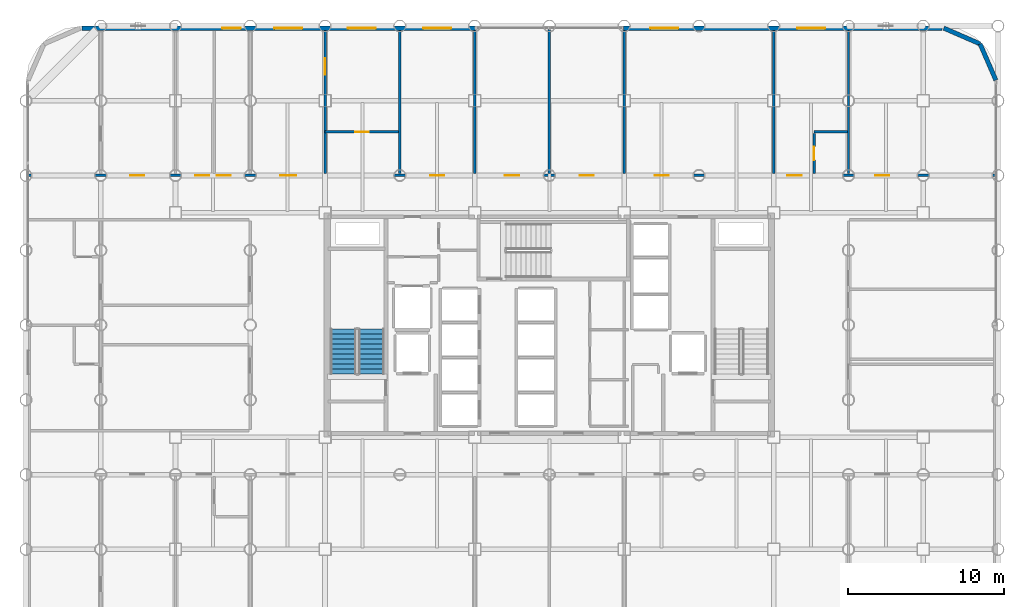
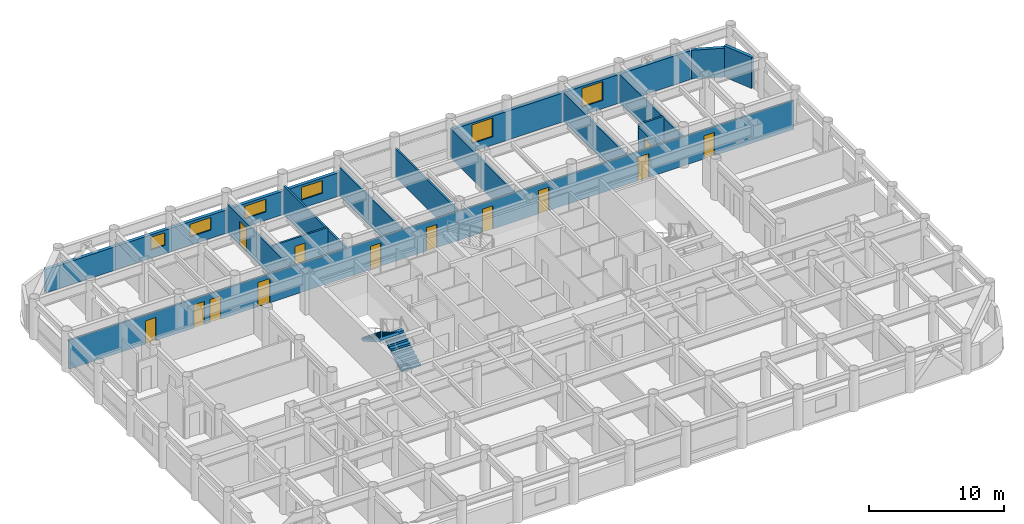
# One storey, part 19 of 21: 15 walls, 13 doors, 6 windows, 2 stair flights, 19 openings, 1 element without a shape of its own.
"""IFC4 building model written with IfcOpenShell, lengths in metres."""

from ifc_helpers import new_model, si_unit, direction, frame, frame_2d, origin, place, context, subcontext, project, spatial, polyline, rectangle, outline, extrude, material, layer, layer_set, type_object, element, fill, aggregate, save


model = new_model("IFC4")

# Units and contexts
model_context = context("Model", 3, precision=1e-05, world=origin(), true_north=direction((0.0, 1.0)))
body_context = subcontext(model_context, "Body", "Model", "MODEL_VIEW")
ifc_project = project(units=[si_unit("LENGTHUNIT", "METRE"), si_unit("AREAUNIT", "SQUARE_METRE"), si_unit("VOLUMEUNIT", "CUBIC_METRE"), si_unit("PLANEANGLEUNIT", "RADIAN"), si_unit("MASSUNIT", "GRAM", prefix="KILO")], contexts=[model_context])

# Site, building, storey
site_placement = place(None, origin())
site = spatial("IfcSite", under=ifc_project, at=site_placement, CompositionType="ELEMENT")
building_placement = place(site_placement, origin())
building = spatial("IfcBuilding", under=site, at=building_placement, Name="Kallvorn Hotel Tower", CompositionType="ELEMENT")
storey_placement = place(building_placement, frame((0.0, 0.0, 52.199951171875)))
storey = spatial("IfcBuildingStorey", under=building, at=storey_placement, Name="L11", CompositionType="ELEMENT", Elevation=52.199951171875)

# Wall, openings, doors
ifc_material_1 = material(Name="Fire-rated double-layer acoustic gypsum drywall EI 60")
ifc_layer_1 = layer(ifc_material_1, 0.159912109375)
ifc_layer_set_1 = layer_set([ifc_layer_1], Name="WL_DEMISE_160")
wall_type_1 = type_object("IfcWallType", Name="WL_DEMISE_160", PredefinedType="PARTITIONING", material=ifc_layer_set_1)
wall_1_placement = place(storey_placement, frame((-33.429931640625, 9.60009765625, 0.0), z_axis=(0.0, 0.0, 1.0), x_axis=(1.0, 0.0, 0.0)))
wall_1 = element("IfcWall", 1, at=wall_1_placement, inside=storey, type_object=wall_type_1, Name="L11 Suite 1104 Junior Living Salon Partition", PredefinedType="PARTITIONING", context=body_context, shape_type="SweptSolid", body=[
    extrude(rectangle(XDim=62.059814453125, YDim=0.159912109375, at=frame_2d((31.02978515625, 0.0))), origin(), (0.0, 0.0, 1.0), 2.6201171875),
])
opening_1_placement = place(wall_1_placement, frame((6.5400390625, 0.0, 0.0)))
opening_1 = element("IfcOpeningElement", 2, at=opening_1_placement, cuts=wall_1, Name="Opening SVD1", PredefinedType="OPENING", context=body_context, shape_type="SweptSolid", body=[
    extrude(rectangle(XDim=0.89990234375, YDim=2.10009765625, at=frame_2d((0.449951171875, 1.050048828125))), frame((0.0, 0.094970703125, 0.0), z_axis=(0.0, -1.0, 0.0), x_axis=(1.0, 0.0, 0.0)), (0.0, 0.0, 1.0), 0.18994140625),
])
opening_2_placement = place(wall_1_placement, frame((54.360595703125, 0.0, 0.0)))
opening_2 = element("IfcOpeningElement", 3, at=opening_2_placement, cuts=wall_1, Name="Opening SVD1", PredefinedType="OPENING", context=body_context, shape_type="SweptSolid", body=[
    extrude(rectangle(XDim=0.89990234375, YDim=2.10009765625, at=frame_2d((0.449951171875, 1.050048828125))), frame((0.0, 0.094970703125, 0.0), z_axis=(0.0, -1.0, 0.0), x_axis=(1.0, 0.0, 0.0)), (0.0, 0.0, 1.0), 0.18994140625),
])
opening_3_placement = place(wall_1_placement, frame((10.68994140625, 0.0, 0.0)))
opening_3 = element("IfcOpeningElement", 4, at=opening_3_placement, cuts=wall_1, Name="Opening SVD1", PredefinedType="OPENING", context=body_context, shape_type="SweptSolid", body=[
    extrude(rectangle(XDim=0.89990234375, YDim=2.10009765625, at=frame_2d((0.449951171875, 1.050048828125))), frame((0.0, 0.094970703125, 0.0), z_axis=(0.0, -1.0, 0.0), x_axis=(1.0, 0.0, 0.0)), (0.0, 0.0, 1.0), 0.18994140625),
])
opening_4_placement = place(wall_1_placement, frame((12.070068359375, 0.0, 0.0)))
opening_4 = element("IfcOpeningElement", 5, at=opening_4_placement, cuts=wall_1, Name="Opening SVD1", PredefinedType="OPENING", context=body_context, shape_type="SweptSolid", body=[
    extrude(rectangle(XDim=0.89990234375, YDim=2.10009765625, at=frame_2d((0.449951171875, 1.050048828125))), frame((0.0, 0.094970703125, 0.0), z_axis=(0.0, -1.0, 0.0), x_axis=(1.0, 0.0, 0.0)), (0.0, 0.0, 1.0), 0.18994140625),
])
opening_5_placement = place(wall_1_placement, frame((16.14501953125, 0.0, 0.0)))
opening_5 = element("IfcOpeningElement", 6, at=opening_5_placement, cuts=wall_1, Name="Opening GD2", PredefinedType="OPENING", context=body_context, shape_type="SweptSolid", body=[
    extrude(rectangle(XDim=1.050048828125, YDim=2.199951171875, at=frame_2d((0.52490234375, 1.10009765625))), frame((0.0, 0.094970703125, 0.0), z_axis=(0.0, -1.0, 0.0), x_axis=(1.0, 0.0, 0.0)), (0.0, 0.0, 1.0), 0.18994140625),
])
opening_6_placement = place(wall_1_placement, frame((25.780029296875, 0.0, 0.0)))
opening_6 = element("IfcOpeningElement", 7, at=opening_6_placement, cuts=wall_1, Name="Opening SVD1", PredefinedType="OPENING", context=body_context, shape_type="SweptSolid", body=[
    extrude(rectangle(XDim=0.89990234375, YDim=2.10009765625, at=frame_2d((0.449951171875, 1.050048828125))), frame((0.0, 0.094970703125, 0.0), z_axis=(0.0, -1.0, 0.0), x_axis=(1.0, 0.0, 0.0)), (0.0, 0.0, 1.0), 0.18994140625),
])
opening_7_placement = place(wall_1_placement, frame((30.580078125, 0.0, 0.0)))
opening_7 = element("IfcOpeningElement", 8, at=opening_7_placement, cuts=wall_1, Name="Opening SVD1", PredefinedType="OPENING", context=body_context, shape_type="SweptSolid", body=[
    extrude(rectangle(XDim=0.89990234375, YDim=2.10009765625, at=frame_2d((0.449951171875, 1.050048828125))), frame((0.0, 0.094970703125, 0.0), z_axis=(0.0, -1.0, 0.0), x_axis=(1.0, 0.0, 0.0)), (0.0, 0.0, 1.0), 0.18994140625),
])
opening_8_placement = place(wall_1_placement, frame((35.3798828125, 0.0, 0.0)))
opening_8 = element("IfcOpeningElement", 9, at=opening_8_placement, cuts=wall_1, Name="Opening SVD1", PredefinedType="OPENING", context=body_context, shape_type="SweptSolid", body=[
    extrude(rectangle(XDim=0.89990234375, YDim=2.10009765625, at=frame_2d((0.449951171875, 1.050048828125))), frame((0.0, 0.094970703125, 0.0), z_axis=(0.0, -1.0, 0.0), x_axis=(1.0, 0.0, 0.0)), (0.0, 0.0, 1.0), 0.18994140625),
])
opening_9_placement = place(wall_1_placement, frame((40.179931640625, 0.0, 0.0)))
opening_9 = element("IfcOpeningElement", 10, at=opening_9_placement, cuts=wall_1, Name="Opening SVD1", PredefinedType="OPENING", context=body_context, shape_type="SweptSolid", body=[
    extrude(rectangle(XDim=0.89990234375, YDim=2.10009765625, at=frame_2d((0.449951171875, 1.050048828125))), frame((0.0, 0.094970703125, 0.0), z_axis=(0.0, -1.0, 0.0), x_axis=(1.0, 0.0, 0.0)), (0.0, 0.0, 1.0), 0.18994140625),
])
opening_10_placement = place(wall_1_placement, frame((48.705078125, 0.0, 0.0)))
opening_10 = element("IfcOpeningElement", 11, at=opening_10_placement, cuts=wall_1, Name="Opening GD1", PredefinedType="OPENING", context=body_context, shape_type="SweptSolid", body=[
    extrude(rectangle(XDim=0.919921875, YDim=2.14990234375, at=frame_2d((0.4599609375, 1.074951171875))), frame((0.0, 0.094970703125, 0.0), z_axis=(0.0, -1.0, 0.0), x_axis=(1.0, 0.0, 0.0)), (0.0, 0.0, 1.0), 0.18994140625),
])
ifc_material_2 = material(Name="Solid-core walnut veneer fire-rated timber door leaf", Category="wood")
door_type_1 = type_object("IfcDoorType", Name="DR_GUEST_920x2150", OperationType="NOTDEFINED", PredefinedType="DOOR", material=ifc_material_2)
door_1_placement = place(opening_10_placement, origin())
door_1 = element("IfcDoor", 12, at=door_1_placement, inside=storey, type_object=door_type_1, Name="L11 Suite 1105 Standard Twin Room Door", OperationType="SINGLE_SWING_LEFT", OverallHeight=2.14990234375, OverallWidth=0.919921875, PredefinedType="DOOR", context=body_context, shape_type="SweptSolid", body=[
    extrude(rectangle(XDim=0.919921875, YDim=2.14990234375, at=frame_2d((0.4599609375, 1.074951171875))), frame((0.0, 0.02490234375, 0.0), z_axis=(0.0, -1.0, 0.0), x_axis=(1.0, 0.0, 0.0)), (0.0, 0.0, 1.0), 0.050048828125),
])
fill(opening_10, door_1)
ifc_material_3 = material(Name="Galvanised painted steel fire-rated door assembly", Category="steel")
door_type_2 = type_object("IfcDoorType", Name="DR_SERV_900x2100", OperationType="NOTDEFINED", PredefinedType="DOOR", material=ifc_material_3)
door_2_placement = place(opening_1_placement, origin())
door_2 = element("IfcDoor", 13, at=door_2_placement, inside=storey, type_object=door_type_2, Name="L11 L11 North-West Fitness Gymnasium B Door", OperationType="SINGLE_SWING_RIGHT", OverallHeight=2.10009765625, OverallWidth=0.89990234375, PredefinedType="DOOR", context=body_context, shape_type="SweptSolid", body=[
    extrude(rectangle(XDim=0.89990234375, YDim=2.10009765625, at=frame_2d((0.449951171875, 1.050048828125))), frame((0.0, 0.02490234375, 0.0), z_axis=(0.0, -1.0, 0.0), x_axis=(1.0, 0.0, 0.0)), (0.0, 0.0, 1.0), 0.050048828125),
])
fill(opening_1, door_2)
door_3_placement = place(opening_2_placement, origin())
door_3 = element("IfcDoor", 14, at=door_3_placement, inside=storey, type_object=door_type_2, Name="L11 L11 North-East Reading Club Door", OperationType="SINGLE_SWING_RIGHT", OverallHeight=2.10009765625, OverallWidth=0.89990234375, PredefinedType="DOOR", context=body_context, shape_type="SweptSolid", body=[
    extrude(rectangle(XDim=0.89990234375, YDim=2.10009765625, at=frame_2d((0.449951171875, 1.050048828125))), frame((0.0, 0.02490234375, 0.0), z_axis=(0.0, -1.0, 0.0), x_axis=(1.0, 0.0, 0.0)), (0.0, 0.0, 1.0), 0.050048828125),
])
fill(opening_2, door_3)
door_4_placement = place(opening_3_placement, origin())
door_4 = element("IfcDoor", 15, at=door_4_placement, inside=storey, type_object=door_type_2, Name="L11 Housekeeping and Linen Room Door", OperationType="SINGLE_SWING_LEFT", OverallHeight=2.10009765625, OverallWidth=0.89990234375, PredefinedType="DOOR", context=body_context, shape_type="SweptSolid", body=[
    extrude(rectangle(XDim=0.89990234375, YDim=2.10009765625, at=frame_2d((0.449951171875, 1.050048828125))), frame((0.0, 0.02490234375, 0.0), z_axis=(0.0, -1.0, 0.0), x_axis=(1.0, 0.0, 0.0)), (0.0, 0.0, 1.0), 0.050048828125),
])
fill(opening_3, door_4)
door_5_placement = place(opening_4_placement, origin())
door_5 = element("IfcDoor", 16, at=door_5_placement, inside=storey, type_object=door_type_2, Name="L11 Guest Tea and Refreshment Bar Door", OperationType="SINGLE_SWING_LEFT", OverallHeight=2.10009765625, OverallWidth=0.89990234375, PredefinedType="DOOR", context=body_context, shape_type="SweptSolid", body=[
    extrude(rectangle(XDim=0.89990234375, YDim=2.10009765625, at=frame_2d((0.449951171875, 1.050048828125))), frame((0.0, 0.02490234375, 0.0), z_axis=(0.0, -1.0, 0.0), x_axis=(1.0, 0.0, 0.0)), (0.0, 0.0, 1.0), 0.050048828125),
])
fill(opening_4, door_5)
door_6_placement = place(opening_6_placement, origin())
door_6 = element("IfcDoor", 17, at=door_6_placement, inside=storey, type_object=door_type_2, Name="L11 L11 Thermal Hydrotherapy Treatment Suite 3-1 Door", OperationType="SINGLE_SWING_RIGHT", OverallHeight=2.10009765625, OverallWidth=0.89990234375, PredefinedType="DOOR", context=body_context, shape_type="SweptSolid", body=[
    extrude(rectangle(XDim=0.89990234375, YDim=2.10009765625, at=frame_2d((0.449951171875, 1.050048828125))), frame((0.0, 0.02490234375, 0.0), z_axis=(0.0, -1.0, 0.0), x_axis=(1.0, 0.0, 0.0)), (0.0, 0.0, 1.0), 0.050048828125),
])
fill(opening_6, door_6)
door_7_placement = place(opening_7_placement, origin())
door_7 = element("IfcDoor", 18, at=door_7_placement, inside=storey, type_object=door_type_2, Name="L11 L11 Thermal Hydrotherapy Treatment Suite 3-2 Door", OperationType="SINGLE_SWING_LEFT", OverallHeight=2.10009765625, OverallWidth=0.89990234375, PredefinedType="DOOR", context=body_context, shape_type="SweptSolid", body=[
    extrude(rectangle(XDim=0.89990234375, YDim=2.10009765625, at=frame_2d((0.449951171875, 1.050048828125))), frame((0.0, 0.02490234375, 0.0), z_axis=(0.0, -1.0, 0.0), x_axis=(1.0, 0.0, 0.0)), (0.0, 0.0, 1.0), 0.050048828125),
])
fill(opening_7, door_7)
door_8_placement = place(opening_8_placement, origin())
door_8 = element("IfcDoor", 19, at=door_8_placement, inside=storey, type_object=door_type_2, Name="L11 L11 Thermal Hydrotherapy Treatment Suite 3-3 Door", OperationType="SINGLE_SWING_LEFT", OverallHeight=2.10009765625, OverallWidth=0.89990234375, PredefinedType="DOOR", context=body_context, shape_type="SweptSolid", body=[
    extrude(rectangle(XDim=0.89990234375, YDim=2.10009765625, at=frame_2d((0.449951171875, 1.050048828125))), frame((0.0, 0.02490234375, 0.0), z_axis=(0.0, -1.0, 0.0), x_axis=(1.0, 0.0, 0.0)), (0.0, 0.0, 1.0), 0.050048828125),
])
fill(opening_8, door_8)
door_9_placement = place(opening_9_placement, origin())
door_9 = element("IfcDoor", 20, at=door_9_placement, inside=storey, type_object=door_type_2, Name="L11 L11 Haute Couture Design Retail Shop 4 Door", OperationType="SINGLE_SWING_RIGHT", OverallHeight=2.10009765625, OverallWidth=0.89990234375, PredefinedType="DOOR", context=body_context, shape_type="SweptSolid", body=[
    extrude(rectangle(XDim=0.89990234375, YDim=2.10009765625, at=frame_2d((0.449951171875, 1.050048828125))), frame((0.0, 0.02490234375, 0.0), z_axis=(0.0, -1.0, 0.0), x_axis=(1.0, 0.0, 0.0)), (0.0, 0.0, 1.0), 0.050048828125),
])
fill(opening_9, door_9)
ifc_material_4 = material(Name="Solid-core walnut veneer fire-rated timber door leaf", Category="wood")
door_type_3 = type_object("IfcDoorType", Name="DR_SUITE_1050x2200", OperationType="NOTDEFINED", PredefinedType="DOOR", material=ifc_material_4)
door_10_placement = place(opening_5_placement, origin())
door_10 = element("IfcDoor", 21, at=door_10_placement, inside=storey, type_object=door_type_3, Name="L11 Suite 1104 Junior Living Salon Door", OperationType="SINGLE_SWING_RIGHT", OverallHeight=2.199951171875, OverallWidth=1.050048828125, PredefinedType="DOOR", context=body_context, shape_type="SweptSolid", body=[
    extrude(rectangle(XDim=1.050048828125, YDim=2.199951171875, at=frame_2d((0.52490234375, 1.10009765625))), frame((0.0, 0.02490234375, 0.0), z_axis=(0.0, -1.0, 0.0), x_axis=(1.0, 0.0, 0.0)), (0.0, 0.0, 1.0), 0.050048828125),
])
fill(opening_5, door_10)

# Wall, opening, door
wall_2_placement = place(storey_placement, frame((-14.39990234375, 12.39501953125, 0.0), z_axis=(0.0, 0.0, 1.0), x_axis=(1.0, 0.0, 0.0)))
wall_2 = element("IfcWall", 22, at=wall_2_placement, inside=storey, type_object=wall_type_1, Name="L11 Suite 1104 Junior Bedroom Partition", PredefinedType="PARTITIONING", context=body_context, shape_type="SweptSolid", body=[
    extrude(rectangle(XDim=4.719970703125, YDim=0.159912109375, at=frame_2d((2.35986328125, 0.0))), origin(), (0.0, 0.0, 1.0), 2.820068359375),
])
opening_11_placement = place(wall_2_placement, frame((1.929931640625, 0.0, 0.0)))
opening_11 = element("IfcOpeningElement", 23, at=opening_11_placement, cuts=wall_2, Name="Opening BD-I", PredefinedType="OPENING", context=body_context, shape_type="SweptSolid", body=[
    extrude(rectangle(XDim=0.860107421875, YDim=2.10009765625, at=frame_2d((0.43017578125, 1.050048828125))), frame((0.0, 0.094970703125, 0.0), z_axis=(0.0, -1.0, 0.0), x_axis=(1.0, 0.0, 0.0)), (0.0, 0.0, 1.0), 0.18994140625),
])
ifc_material_5 = material(Name="Solid-core walnut veneer fire-rated timber door leaf", Category="wood")
door_type_4 = type_object("IfcDoorType", Name="DR_BATH_860x2100", OperationType="NOTDEFINED", PredefinedType="DOOR", material=ifc_material_5)
door_11_placement = place(opening_11_placement, origin())
door_11 = element("IfcDoor", 24, at=door_11_placement, inside=storey, type_object=door_type_4, Name="L11 Suite 1104 En-Suite Bathroom Door", OperationType="SINGLE_SWING_RIGHT", OverallHeight=2.10009765625, OverallWidth=0.860107421875, PredefinedType="DOOR", context=body_context, shape_type="SweptSolid", body=[
    extrude(rectangle(XDim=0.860107421875, YDim=2.10009765625, at=frame_2d((0.43017578125, 1.050048828125))), frame((0.0, 0.02490234375, 0.0), z_axis=(0.0, -1.0, 0.0), x_axis=(1.0, 0.0, 0.0)), (0.0, 0.0, 1.0), 0.050048828125),
])
fill(opening_11, door_11)

# Wall
wall_3_placement = place(storey_placement, frame((16.989990234375, 12.39501953125, 0.0), z_axis=(0.0, 0.0, 1.0), x_axis=(1.0, 0.0, 0.0)))
element("IfcWall", 25, at=wall_3_placement, inside=storey, type_object=wall_type_1, Name="L11 Suite 1105 Standard Twin Room Partition", PredefinedType="PARTITIONING", context=body_context, shape_type="SweptSolid", body=[
    extrude(rectangle(XDim=2.130126953125, YDim=0.159912109375, at=frame_2d((1.06494140625, 0.0))), origin(), (0.0, 0.0, 1.0), 2.820068359375),
])

# Wall, opening, door
wall_4_placement = place(storey_placement, frame((-14.39990234375, 9.719970703125, 0.0), z_axis=(0.0, 0.0, 1.0), x_axis=(0.0, 1.0, 0.0)))
wall_4 = element("IfcWall", 26, at=wall_4_placement, inside=storey, type_object=wall_type_1, Name="L11 Suite 1104 Junior Living Salon Partition", PredefinedType="PARTITIONING", context=body_context, shape_type="SweptSolid", body=[
    extrude(rectangle(XDim=9.18994140625, YDim=0.159912109375, at=frame_2d((4.594970703125, 0.0))), origin(), (0.0, 0.0, 1.0), 2.6201171875),
])
opening_12_placement = place(wall_4_placement, frame((6.346923828125, 0.0, 0.0)))
opening_12 = element("IfcOpeningElement", 27, at=opening_12_placement, cuts=wall_4, Name="Opening GD2", PredefinedType="OPENING", context=body_context, shape_type="SweptSolid", body=[
    extrude(rectangle(XDim=1.050048828125, YDim=2.199951171875, at=frame_2d((0.52490234375, 1.10009765625))), frame((0.0, 0.094970703125, 0.0), z_axis=(0.0, -1.0, 0.0), x_axis=(1.0, 0.0, 0.0)), (0.0, 0.0, 1.0), 0.18994140625),
])
door_12_placement = place(opening_12_placement, origin())
door_12 = element("IfcDoor", 28, at=door_12_placement, inside=storey, type_object=door_type_3, Name="L11 Suite 1104 Junior Bedroom Door", OperationType="SINGLE_SWING_LEFT", OverallHeight=2.199951171875, OverallWidth=1.050048828125, PredefinedType="DOOR", context=body_context, shape_type="SweptSolid", body=[
    extrude(rectangle(XDim=1.050048828125, YDim=2.199951171875, at=frame_2d((0.52490234375, 1.10009765625))), frame((0.0, 0.02490234375, 0.0), z_axis=(0.0, -1.0, 0.0), x_axis=(1.0, 0.0, 0.0)), (0.0, 0.0, 1.0), 0.050048828125),
])
fill(opening_12, door_12)

# Walls
for number, where, z_axis, x_axis, name in (
    (29, (-9.60009765625, 9.719970703125, 0.0), (0.0, 0.0, 1.0), (0.0, 1.0, 0.0), "L11 Suite 1104 Junior Bedroom Partition"),
    (30, (14.39990234375, 9.719970703125, 0.0), (0.0, 0.0, 1.0), (0.0, 1.0, 0.0), "L11 Suite 1105 Standard Twin Room Partition"),
):
    element("IfcWall", number, at=place(storey_placement, frame(where, z_axis=z_axis, x_axis=x_axis)), inside=storey, type_object=wall_type_1, Name=name, PredefinedType="PARTITIONING", context=body_context, shape_type="SweptSolid", body=[
        extrude(rectangle(XDim=9.18994140625, YDim=0.159912109375, at=frame_2d((4.594970703125, 0.0))), origin(), (0.0, 0.0, 1.0), 2.6201171875),
    ])

# Wall, opening, door
wall_5_placement = place(storey_placement, frame((16.989990234375, 9.719970703125, 0.0), z_axis=(0.0, 0.0, 1.0), x_axis=(0.0, 1.0, 0.0)))
wall_5 = element("IfcWall", 31, at=wall_5_placement, inside=storey, type_object=wall_type_1, Name="L11 Suite 1105 Standard Twin Room Partition", PredefinedType="PARTITIONING", context=body_context, shape_type="SweptSolid", body=[
    extrude(rectangle(XDim=2.590087890625, YDim=0.159912109375, at=frame_2d((1.294921875, 0.0))), origin(), (0.0, 0.0, 1.0), 2.6201171875),
])
opening_13_placement = place(wall_5_placement, frame((0.8701171875, 0.0, 0.0)))
opening_13 = element("IfcOpeningElement", 32, at=opening_13_placement, cuts=wall_5, Name="Opening BD-I", PredefinedType="OPENING", context=body_context, shape_type="SweptSolid", body=[
    extrude(rectangle(XDim=0.860107421875, YDim=2.10009765625, at=frame_2d((0.43017578125, 1.050048828125))), frame((0.0, 0.094970703125, 0.0), z_axis=(0.0, -1.0, 0.0), x_axis=(1.0, 0.0, 0.0)), (0.0, 0.0, 1.0), 0.18994140625),
])
door_13_placement = place(opening_13_placement, origin())
door_13 = element("IfcDoor", 33, at=door_13_placement, inside=storey, type_object=door_type_4, Name="L11 Suite 1105 En-Suite Bathroom Door", OperationType="SINGLE_SWING_RIGHT", OverallHeight=2.10009765625, OverallWidth=0.860107421875, PredefinedType="DOOR", context=body_context, shape_type="SweptSolid", body=[
    extrude(rectangle(XDim=0.860107421875, YDim=2.10009765625, at=frame_2d((0.43017578125, 1.050048828125))), frame((0.0, 0.02490234375, 0.0), z_axis=(0.0, -1.0, 0.0), x_axis=(1.0, 0.0, 0.0)), (0.0, 0.0, 1.0), 0.050048828125),
])
fill(opening_13, door_13)

# Walls
wall_6_placement = place(storey_placement, frame((19.199951171875, 9.719970703125, 0.0), z_axis=(0.0, 0.0, 1.0), x_axis=(0.0, 1.0, 0.0)))
element("IfcWall", 34, at=wall_6_placement, inside=storey, type_object=wall_type_1, Name="L11 Suite 1105 Standard Twin Room Partition", PredefinedType="PARTITIONING", context=body_context, shape_type="SweptSolid", body=[
    extrude(rectangle(XDim=9.18994140625, YDim=0.159912109375, at=frame_2d((4.594970703125, 0.0))), origin(), (0.0, 0.0, 1.0), 2.6201171875),
])
ifc_material_6 = material(Name="Precast basalt-clad insulated concrete wall C40/50", Category="masonry")
ifc_layer_2 = layer(ifc_material_6, 0.280029296875)
ifc_layer_set_2 = layer_set([ifc_layer_2], Name="WL_EXT_LOGGIA_280")
wall_type_2 = type_object("IfcWallType", Name="WL_EXT_LOGGIA_280", PredefinedType="SOLIDWALL", material=ifc_layer_set_2)
wall_7_placement = place(storey_placement, frame((28.657958984375, 15.720703125, 0.0), z_axis=(0.0, 0.0, 1.0), x_axis=(-0.398792985289, 0.917040977756, 0.0)))
element("IfcWall", 35, at=wall_7_placement, inside=storey, type_object=wall_type_2, Name="L11 Rounded Corner Exterior Wall NE1", PredefinedType="SOLIDWALL", context=body_context, shape_type="SweptSolid", body=[
    extrude(rectangle(XDim=2.536376953125, YDim=0.280029296875, at=frame_2d((1.26806640625, 0.0))), origin(), (0.0, 0.0, 1.0), 2.820068359375),
])
wall_8_placement = place(storey_placement, frame((27.646484375, 18.046630859375, 0.0), z_axis=(0.0, 0.0, 1.0), x_axis=(-0.917060872934, 0.398747232384, 0.0)))
element("IfcWall", 36, at=wall_8_placement, inside=storey, type_object=wall_type_2, Name="L11 Rounded Corner Exterior Wall NE2", PredefinedType="SOLIDWALL", context=body_context, shape_type="SweptSolid", body=[
    extrude(rectangle(XDim=2.5361328125, YDim=0.280029296875, at=frame_2d((1.26806640625, 0.0))), origin(), (0.0, 0.0, 1.0), 2.6201171875),
])

# Wall, openings, windows
wall_9_placement = place(storey_placement, frame((-30.0, 19.06005859375, 0.0), z_axis=(0.0, 0.0, 1.0), x_axis=(1.0, 0.0, 0.0)))
wall_9 = element("IfcWall", 37, at=wall_9_placement, inside=storey, type_object=wall_type_2, Name="L11 Exterior Envelope Wall EW-L11-NW", PredefinedType="SOLIDWALL", context=body_context, shape_type="SweptSolid", body=[
    extrude(rectangle(XDim=25.25, YDim=0.280029296875, at=frame_2d((12.625, 0.0))), origin(), (0.0, 0.0, 1.0), 2.1201171875),
])
opening_14_placement = place(wall_9_placement, frame((9.0, 0.0, 0.75)))
opening_14 = element("IfcOpeningElement", 38, at=opening_14_placement, cuts=wall_9, Name="Opening W06A", PredefinedType="OPENING", context=body_context, shape_type="SweptSolid", body=[
    extrude(rectangle(XDim=1.199951171875, YDim=1.14990234375, at=frame_2d((0.60009765625, 0.574951171875))), frame((0.0, 0.155029296875, 0.0), z_axis=(0.0, -1.0, 0.0), x_axis=(1.0, 0.0, 0.0)), (0.0, 0.0, 1.0), 0.31005859375),
])
opening_15_placement = place(wall_9_placement, frame((12.340087890625, 0.0, 0.75)))
opening_15 = element("IfcOpeningElement", 39, at=opening_15_placement, cuts=wall_9, Name="Opening W04A", PredefinedType="OPENING", context=body_context, shape_type="SweptSolid", body=[
    extrude(rectangle(XDim=1.800048828125, YDim=1.14990234375, at=frame_2d((0.89990234375, 0.574951171875))), frame((0.0, 0.155029296875, 0.0), z_axis=(0.0, -1.0, 0.0), x_axis=(1.0, 0.0, 0.0)), (0.0, 0.0, 1.0), 0.31005859375),
])
opening_16_placement = place(wall_9_placement, frame((17.06005859375, 0.0, 0.75)))
opening_16 = element("IfcOpeningElement", 40, at=opening_16_placement, cuts=wall_9, Name="Opening W04A", PredefinedType="OPENING", context=body_context, shape_type="SweptSolid", body=[
    extrude(rectangle(XDim=1.800048828125, YDim=1.14990234375, at=frame_2d((0.89990234375, 0.574951171875))), frame((0.0, 0.155029296875, 0.0), z_axis=(0.0, -1.0, 0.0), x_axis=(1.0, 0.0, 0.0)), (0.0, 0.0, 1.0), 0.31005859375),
])
opening_17_placement = place(wall_9_placement, frame((21.89990234375, 0.0, 0.75)))
opening_17 = element("IfcOpeningElement", 41, at=opening_17_placement, cuts=wall_9, Name="Opening W04A", PredefinedType="OPENING", context=body_context, shape_type="SweptSolid", body=[
    extrude(rectangle(XDim=1.800048828125, YDim=1.14990234375, at=frame_2d((0.89990234375, 0.574951171875))), frame((0.0, 0.155029296875, 0.0), z_axis=(0.0, -1.0, 0.0), x_axis=(1.0, 0.0, 0.0)), (0.0, 0.0, 1.0), 0.31005859375),
])
ifc_material_7 = material(Name="Triple-glazed low-e acoustic solar-control dark glass", Category="glass")
window_type_1 = type_object("IfcWindowType", Name="WN_HTL_1200x1150", PartitioningType="SINGLE_PANEL", PredefinedType="WINDOW", material=ifc_material_7)
window_1_placement = place(opening_14_placement, origin())
window_1 = element("IfcWindow", 42, at=window_1_placement, inside=storey, type_object=window_type_1, Name="L11 Guestroom Exterior Window 05", OverallHeight=1.14990234375, OverallWidth=1.199951171875, PartitioningType="SINGLE_PANEL", PredefinedType="WINDOW", context=body_context, shape_type="SweptSolid", body=[
    extrude(rectangle(XDim=1.199951171875, YDim=1.14990234375, at=frame_2d((0.60009765625, 0.574951171875))), frame((0.0, 0.030029296875, 0.0), z_axis=(0.0, -1.0, 0.0), x_axis=(1.0, 0.0, 0.0)), (0.0, 0.0, 1.0), 0.06005859375),
])
fill(opening_14, window_1)
ifc_material_8 = material(Name="Double-glazed low-e solar-control dark glass", Category="glass")
window_type_2 = type_object("IfcWindowType", Name="WN_HTL_1800x1150", PartitioningType="SINGLE_PANEL", PredefinedType="WINDOW", material=ifc_material_8)
window_2_placement = place(opening_15_placement, origin())
window_2 = element("IfcWindow", 43, at=window_2_placement, inside=storey, type_object=window_type_2, Name="L11 Guestroom Exterior Window 06", OverallHeight=1.14990234375, OverallWidth=1.800048828125, PartitioningType="SINGLE_PANEL", PredefinedType="WINDOW", context=body_context, shape_type="SweptSolid", body=[
    extrude(rectangle(XDim=1.800048828125, YDim=1.14990234375, at=frame_2d((0.89990234375, 0.574951171875))), frame((0.0, 0.030029296875, 0.0), z_axis=(0.0, -1.0, 0.0), x_axis=(1.0, 0.0, 0.0)), (0.0, 0.0, 1.0), 0.06005859375),
])
fill(opening_15, window_2)
window_3_placement = place(opening_16_placement, origin())
window_3 = element("IfcWindow", 44, at=window_3_placement, inside=storey, type_object=window_type_2, Name="L11 Guestroom Exterior Window 07", OverallHeight=1.14990234375, OverallWidth=1.800048828125, PartitioningType="SINGLE_PANEL", PredefinedType="WINDOW", context=body_context, shape_type="SweptSolid", body=[
    extrude(rectangle(XDim=1.800048828125, YDim=1.14990234375, at=frame_2d((0.89990234375, 0.574951171875))), frame((0.0, 0.030029296875, 0.0), z_axis=(0.0, -1.0, 0.0), x_axis=(1.0, 0.0, 0.0)), (0.0, 0.0, 1.0), 0.06005859375),
])
fill(opening_16, window_3)
window_4_placement = place(opening_17_placement, origin())
window_4 = element("IfcWindow", 45, at=window_4_placement, inside=storey, type_object=window_type_2, Name="L11 Guestroom Exterior Window 08", OverallHeight=1.14990234375, OverallWidth=1.800048828125, PartitioningType="SINGLE_PANEL", PredefinedType="WINDOW", context=body_context, shape_type="SweptSolid", body=[
    extrude(rectangle(XDim=1.800048828125, YDim=1.14990234375, at=frame_2d((0.89990234375, 0.574951171875))), frame((0.0, 0.030029296875, 0.0), z_axis=(0.0, -1.0, 0.0), x_axis=(1.0, 0.0, 0.0)), (0.0, 0.0, 1.0), 0.06005859375),
])
fill(opening_17, window_4)

wall_10_placement = place(storey_placement, frame((4.75, 19.06005859375, 0.0), z_axis=(0.0, 0.0, 1.0), x_axis=(1.0, 0.0, 0.0)))
wall_10 = element("IfcWall", 46, at=wall_10_placement, inside=storey, type_object=wall_type_2, Name="L11 Exterior Envelope Wall EW-L11-NE", PredefinedType="SOLIDWALL", context=body_context, shape_type="SweptSolid", body=[
    extrude(rectangle(XDim=20.449951171875, YDim=0.280029296875, at=frame_2d((10.22509765625, 0.0))), origin(), (0.0, 0.0, 1.0), 2.6201171875),
])
opening_18_placement = place(wall_10_placement, frame((1.72998046875, 0.0, 0.75)))
opening_18 = element("IfcOpeningElement", 47, at=opening_18_placement, cuts=wall_10, Name="Opening W04", PredefinedType="OPENING", context=body_context, shape_type="SweptSolid", body=[
    extrude(rectangle(XDim=1.800048828125, YDim=1.699951171875, at=frame_2d((0.89990234375, 0.85009765625))), frame((0.0, 0.155029296875, 0.0), z_axis=(0.0, -1.0, 0.0), x_axis=(1.0, 0.0, 0.0)), (0.0, 0.0, 1.0), 0.31005859375),
])
opening_19_placement = place(wall_10_placement, frame((11.14990234375, 0.0, 0.75)))
opening_19 = element("IfcOpeningElement", 48, at=opening_19_placement, cuts=wall_10, Name="Opening W04", PredefinedType="OPENING", context=body_context, shape_type="SweptSolid", body=[
    extrude(rectangle(XDim=1.800048828125, YDim=1.699951171875, at=frame_2d((0.89990234375, 0.85009765625))), frame((0.0, 0.155029296875, 0.0), z_axis=(0.0, -1.0, 0.0), x_axis=(1.0, 0.0, 0.0)), (0.0, 0.0, 1.0), 0.31005859375),
])
ifc_material_9 = material(Name="Double-glazed low-e solar-control dark glass", Category="glass")
window_type_3 = type_object("IfcWindowType", Name="WN_HTL_1800x1700", PartitioningType="SINGLE_PANEL", PredefinedType="WINDOW", material=ifc_material_9)
window_5_placement = place(opening_18_placement, origin())
window_5 = element("IfcWindow", 49, at=window_5_placement, inside=storey, type_object=window_type_3, Name="L11 Guestroom Exterior Window 09", OverallHeight=1.699951171875, OverallWidth=1.800048828125, PartitioningType="SINGLE_PANEL", PredefinedType="WINDOW", context=body_context, shape_type="SweptSolid", body=[
    extrude(rectangle(XDim=1.800048828125, YDim=1.699951171875, at=frame_2d((0.89990234375, 0.85009765625))), frame((0.0, 0.030029296875, 0.0), z_axis=(0.0, -1.0, 0.0), x_axis=(1.0, 0.0, 0.0)), (0.0, 0.0, 1.0), 0.06005859375),
])
fill(opening_18, window_5)
window_6_placement = place(opening_19_placement, origin())
window_6 = element("IfcWindow", 50, at=window_6_placement, inside=storey, type_object=window_type_3, Name="L11 Guestroom Exterior Window 10", OverallHeight=1.699951171875, OverallWidth=1.800048828125, PartitioningType="SINGLE_PANEL", PredefinedType="WINDOW", context=body_context, shape_type="SweptSolid", body=[
    extrude(rectangle(XDim=1.800048828125, YDim=1.699951171875, at=frame_2d((0.89990234375, 0.85009765625))), frame((0.0, 0.030029296875, 0.0), z_axis=(0.0, -1.0, 0.0), x_axis=(1.0, 0.0, 0.0)), (0.0, 0.0, 1.0), 0.06005859375),
])
fill(opening_19, window_6)

# Walls
ifc_material_10 = material(Name="Fire-rated double-layer acoustic gypsum drywall EI 60")
ifc_layer_3 = layer(ifc_material_10, 0.14990234375)
ifc_layer_set_3 = layer_set([ifc_layer_3], Name="WL_PART_150")
wall_type_3 = type_object("IfcWallType", Name="WL_PART_150", PredefinedType="PARTITIONING", material=ifc_layer_set_3)
wall_11_placement = place(storey_placement, frame((-4.800048828125, 9.719970703125, 0.0), z_axis=(0.0, 0.0, 1.0), x_axis=(0.0, 1.0, 0.0)))
element("IfcWall", 51, at=wall_11_placement, inside=storey, type_object=wall_type_3, Name="L11 L11 Thermal Hydrotherapy Treatment Suite 3-1 Partition", PredefinedType="PARTITIONING", context=body_context, shape_type="SweptSolid", body=[
    extrude(rectangle(XDim=9.18994140625, YDim=0.14990234375, at=frame_2d((4.594970703125, 0.0))), origin(), (0.0, 0.0, 1.0), 2.6201171875),
])
wall_12_placement = place(storey_placement, frame((0.0, 9.719970703125, 0.0), z_axis=(0.0, 0.0, 1.0), x_axis=(0.0, 1.0, 0.0)))
element("IfcWall", 52, at=wall_12_placement, inside=storey, type_object=wall_type_3, Name="L11 L11 Thermal Hydrotherapy Treatment Suite 3-2 Partition", PredefinedType="PARTITIONING", context=body_context, shape_type="SweptSolid", body=[
    extrude(rectangle(XDim=9.275146484375, YDim=0.14990234375, at=frame_2d((4.6376953125, 0.0))), origin(), (0.0, 0.0, 1.0), 2.6201171875),
])
wall_13_placement = place(storey_placement, frame((4.800048828125, 9.719970703125, 0.0), z_axis=(0.0, 0.0, 1.0), x_axis=(0.0, 1.0, 0.0)))
element("IfcWall", 53, at=wall_13_placement, inside=storey, type_object=wall_type_3, Name="L11 L11 Haute Couture Design Retail Shop 4 Partition", PredefinedType="PARTITIONING", context=body_context, shape_type="SweptSolid", body=[
    extrude(rectangle(XDim=9.18994140625, YDim=0.14990234375, at=frame_2d((4.594970703125, 0.0))), origin(), (0.0, 0.0, 1.0), 2.6201171875),
])

# Stair, stair flights
ifc_material_11 = material(Name="Precast concrete C40/50", Category="concrete")
stair_type = type_object("IfcStairType", Name="STR_CORE_DOGLEG", PredefinedType="HALF_TURN_STAIR", material=ifc_material_11)
stair_placement = place(storey_placement, origin())
stair = element("IfcStair", 54, at=stair_placement, inside=storey, type_object=stair_type, Name="L11 Exit stair ST1", PredefinedType="HALF_TURN_STAIR")
ifc_material_12 = material(Name="Precast concrete C40/50", Category="concrete")
stair_flight_type = type_object("IfcStairFlightType", Name="FLT_CORE_1660", PredefinedType="STRAIGHT", material=ifc_material_12)
stair_flight_1_placement = place(storey_placement, frame((-11.429931640625, -3.139892578125, 0.0), z_axis=(0.0, 0.0, 1.0), x_axis=(0.0, 1.0, 0.0)))
stair_flight_1 = element("IfcStairFlight", 55, at=stair_flight_1_placement, type_object=stair_flight_type, Name="ST1 flight 1", NumberOfRisers=10, NumberOfTreads=9, PredefinedType="STRAIGHT", RiserHeight=0.185, TreadLength=0.32, context=body_context, shape_type="SweptSolid", body=[
    extrude(outline(polyline([(0.0, 0.0), (0.0, 0.18505859375), (0.320068359375, 0.18505859375), (0.320068359375, 0.3701171875), (0.639892578125, 0.3701171875), (0.639892578125, 0.554931640625), (0.9599609375, 0.554931640625), (0.9599609375, 0.739990234375), (1.280029296875, 0.739990234375), (1.280029296875, 0.925048828125), (1.60009765625, 0.925048828125), (1.60009765625, 1.110107421875), (1.919921875, 1.110107421875), (1.919921875, 1.294921875), (2.239990234375, 1.294921875), (2.239990234375, 1.47998046875), (2.56005859375, 1.47998046875), (2.56005859375, 1.6650390625), (2.8798828125, 1.6650390625), (2.8798828125, 1.85009765625), (2.8798828125, 1.491943359375), (0.299560546875, 0.0), (0.0, 0.0)])), frame((0.0, 0.830078125, 0.0), z_axis=(0.0, -1.0, 0.0), x_axis=(1.0, 0.0, 0.0)), (0.0, 0.0, 1.0), 1.659912109375),
])
stair_flight_2_placement = place(storey_placement, frame((-13.22998046875, -0.260009765625, 1.85009765625), z_axis=(0.0, 0.0, 1.0), x_axis=(0.0, -1.0, 0.0)))
stair_flight_2 = element("IfcStairFlight", 56, at=stair_flight_2_placement, type_object=stair_flight_type, Name="ST1 flight 2", NumberOfRisers=10, NumberOfTreads=9, PredefinedType="STRAIGHT", RiserHeight=0.185, TreadLength=0.32, context=body_context, shape_type="SweptSolid", body=[
    extrude(outline(polyline([(0.0, 0.0), (0.0, 0.18505859375), (0.320068359375, 0.18505859375), (0.320068359375, 0.3701171875), (0.639892578125, 0.3701171875), (0.639892578125, 0.554931640625), (0.9599609375, 0.554931640625), (0.9599609375, 0.739990234375), (1.280029296875, 0.739990234375), (1.280029296875, 0.925048828125), (1.60009765625, 0.925048828125), (1.60009765625, 1.110107421875), (1.919921875, 1.110107421875), (1.919921875, 1.294921875), (2.239990234375, 1.294921875), (2.239990234375, 1.47998046875), (2.56005859375, 1.47998046875), (2.56005859375, 1.6650390625), (2.8798828125, 1.6650390625), (2.8798828125, 1.85009765625), (2.8798828125, 1.491943359375), (0.299560546875, 0.0), (0.0, 0.0)])), frame((0.0, 0.830078125, 0.0), z_axis=(0.0, -1.0, 0.0), x_axis=(1.0, 0.0, 0.0)), (0.0, 0.0, 1.0), 1.659912109375),
])
aggregate(stair, [stair_flight_1, stair_flight_2])

save(model, "model.ifc")
